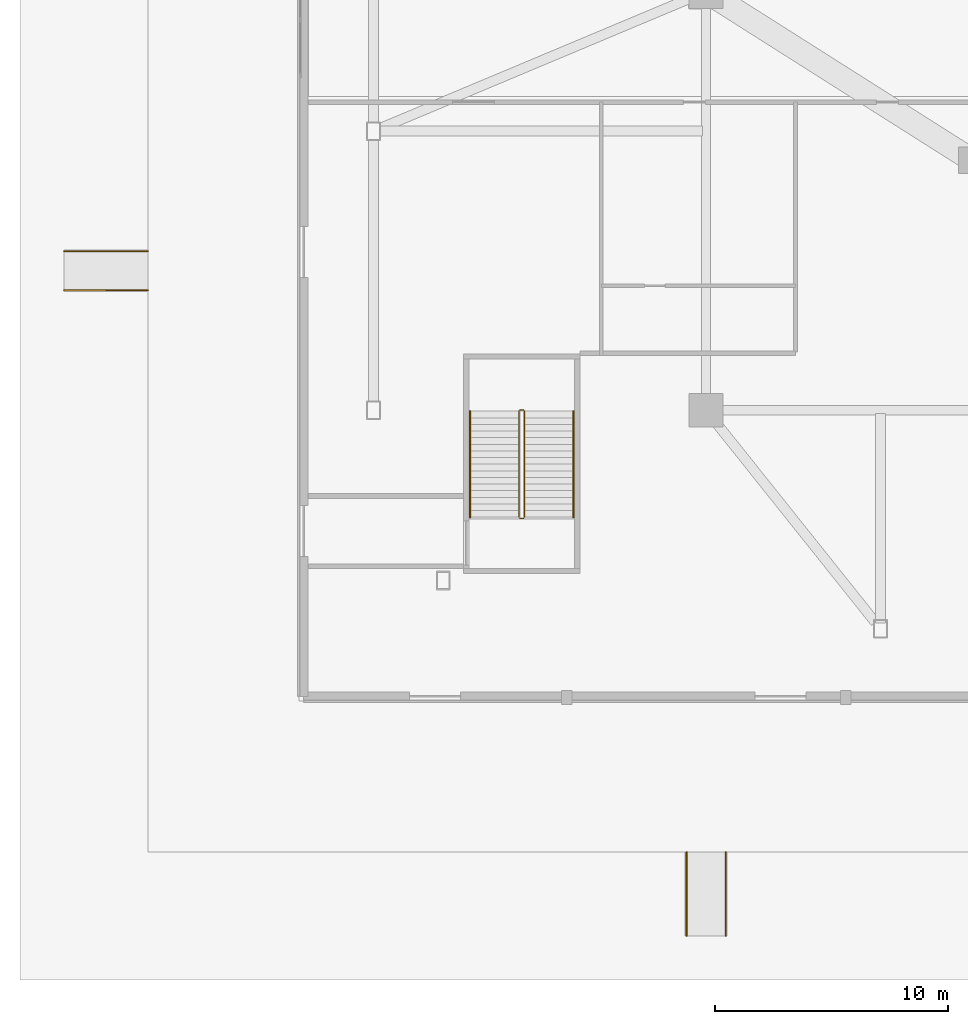
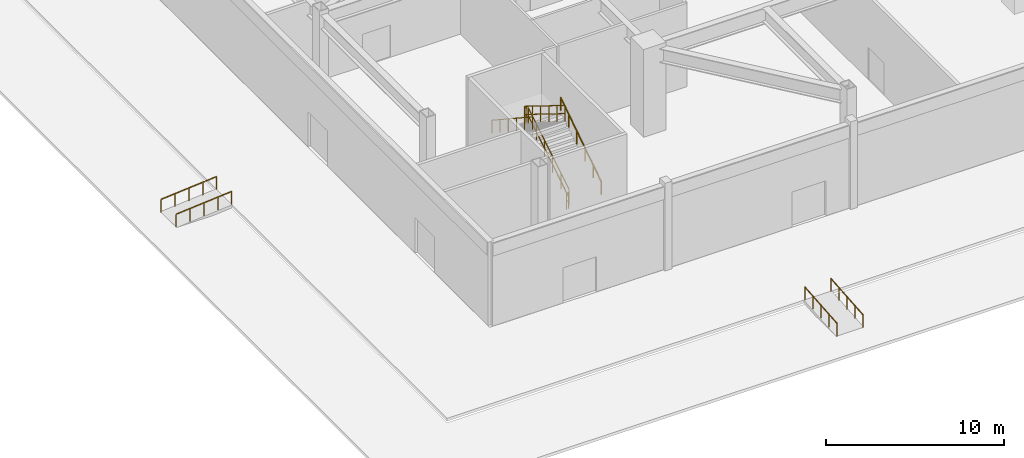
# One storey, part 15 of 24: 10 railings.
"""IFC4 building model written with IfcOpenShell, lengths in metres."""

import ifcopenshell
import ifcopenshell.guid

model = None  # the IFC model being written
_history = None  # IfcOwnerHistory: only IFC2X3 demands one
_inside = {}  # id of a spatial element -> (the spatial element, [elements in it])
_under = {}  # id of a project, library or spatial element -> (it, [spatial elements below it])
_declared = {}  # id of a project -> (the project, [libraries it declares])
_typed = {}  # id of a type object -> (the type object, [elements of that type])
_made_of = {}  # id of a material, layer set ... -> (it, [elements and type objects made of it])


def new_model(schema):
    """Start an empty IFC model of exactly this schema.

    Asked for "IFC4X3", IfcOpenShell would pick the latest addendum, in which some entities
    have other attributes; the version numbers below select the first issue.
    IFC2X3 requires an IfcOwnerHistory on every rooted entity: one is made here for all.
    """
    global model, _history
    if schema == "IFC4X3":
        model = ifcopenshell.file(schema_version=(4, 3, 0, 0))
    else:
        model = ifcopenshell.file(schema=schema)
    _inside.clear()
    _under.clear()
    _declared.clear()
    _typed.clear()
    _made_of.clear()
    _history = None
    if model.schema == "IFC2X3":
        org = make("IfcOrganization", Name="unknown")
        user = make(
            "IfcPersonAndOrganization",
            ThePerson=make("IfcPerson", FamilyName="unknown"),
            TheOrganization=org,
        )
        app = make(
            "IfcApplication",
            ApplicationDeveloper=org,
            Version="unknown",
            ApplicationFullName="unknown",
            ApplicationIdentifier="unknown",
        )
        _history = make(
            "IfcOwnerHistory",
            OwningUser=user,
            OwningApplication=app,
            ChangeAction="ADDED",
            CreationDate=0,
        )
    return model


def make(cls, **values):
    """One entity of the class cls with the attributes given. An attribute that is None is left unset."""
    return model.create_entity(
        cls, **{name: value for name, value in values.items() if value is not None}
    )


def rooted(cls, **values):
    """An entity with a GlobalId (a new one), such as an element, a storey or a relation."""
    return make(cls, GlobalId=ifcopenshell.guid.new(), OwnerHistory=_history, **values)


def si_unit(unit_type, name, prefix=None):
    """IfcSIUnit, for example si_unit("LENGTHUNIT", "METRE", prefix="MILLI")."""
    return make("IfcSIUnit", UnitType=unit_type, Prefix=prefix, Name=name)


def assignment(units):
    """IfcUnitAssignment: the units of a project."""
    return None if units is None else make("IfcUnitAssignment", Units=units)


def point(xyz):
    """IfcCartesianPoint."""
    return None if xyz is None else make("IfcCartesianPoint", Coordinates=xyz)


def direction(xyz):
    """IfcDirection."""
    return None if xyz is None else make("IfcDirection", DirectionRatios=xyz)


def frame(location, z_axis=None, x_axis=None):
    """IfcAxis2Placement3D, a coordinate frame: its origin and axes. An axis left out is left unset."""
    return make(
        "IfcAxis2Placement3D",
        Location=point(location),
        Axis=direction(z_axis),
        RefDirection=direction(x_axis),
    )


def frame_2d(location, x_axis=None):
    """IfcAxis2Placement2D, a coordinate frame in the plane: its origin and x axis."""
    return make(
        "IfcAxis2Placement2D", Location=point(location), RefDirection=direction(x_axis)
    )


def origin():
    """The frame at (0, 0, 0) with its axes left unset."""
    return frame((0.0, 0.0, 0.0))


def origin_2d():
    """The frame at (0, 0) in the plane with its x axis left unset."""
    return frame_2d((0.0, 0.0))


def place(relative_to, where):
    """IfcLocalPlacement: puts the frame where relative to a parent placement (None: the world)."""
    return make(
        "IfcLocalPlacement", PlacementRelTo=relative_to, RelativePlacement=where
    )


def context(
    kind, dimensions, precision=None, world=None, true_north=None, identifier=None
):
    """IfcGeometricRepresentationContext, for example the 3D "Model" context."""
    return make(
        "IfcGeometricRepresentationContext",
        ContextIdentifier=identifier,
        ContextType=kind,
        CoordinateSpaceDimension=dimensions,
        Precision=precision,
        WorldCoordinateSystem=world,
        TrueNorth=true_north,
    )


def subcontext(parent, identifier, kind, view, scale=None):
    """IfcGeometricRepresentationSubContext, for example "Body" below "Model"."""
    return make(
        "IfcGeometricRepresentationSubContext",
        ContextIdentifier=identifier,
        ContextType=kind,
        ParentContext=parent,
        TargetScale=scale,
        TargetView=view,
    )


def project(units=None, contexts=None):
    """IfcProject with its units and contexts."""
    return rooted(
        "IfcProject",
        Name="project",
        RepresentationContexts=contexts,
        UnitsInContext=assignment(units),
    )


def spatial(cls, under=None, at=None, **own):
    """A site, building, storey or space (cls), placed at a placement, below another one or the project."""
    s = rooted(cls, ObjectPlacement=at, **own)
    if under is not None:
        _under.setdefault(under.id(), (under, []))[1].append(s)
    return s


def profile(cls, at=None, kind="AREA", **sizes):
    """A parametric profile (cls). Its sizes go by their IFC names, for example OverallWidth=200.0."""
    return make(cls, ProfileType=kind, Position=at, **sizes)


def rectangle(**sizes):
    """IfcRectangleProfileDef."""
    return profile("IfcRectangleProfileDef", **sizes)


def extrude(swept, where, along, depth):
    """IfcExtrudedAreaSolid: the profile swept, set in the frame where, extruded along a direction by depth."""
    return make(
        "IfcExtrudedAreaSolid",
        SweptArea=swept,
        Position=where,
        ExtrudedDirection=direction(along),
        Depth=depth,
    )


def shape(context_of_items, identifier, shape_type, items):
    """IfcShapeRepresentation: the items that make up one representation, for example the "Body"."""
    return make(
        "IfcShapeRepresentation",
        ContextOfItems=context_of_items,
        RepresentationIdentifier=identifier,
        RepresentationType=shape_type,
        Items=items,
    )


def material(Name=None, Category=None):
    """IfcMaterial."""
    return make("IfcMaterial", Name=Name, Category=Category)


def made_of(thing, what):
    """Note that an element or type object is made of a material, layer set ...; save() writes the relation."""
    if what is not None:
        _made_of.setdefault(what.id(), (what, []))[1].append(thing)
    return thing


def type_object(cls, material=None, **own):
    """A type object (cls), such as IfcWallType, which elements share."""
    return made_of(rooted(cls, **own), material)


def element(
    cls,
    number,
    at=None,
    inside=None,
    cuts=None,
    type_object=None,
    material=None,
    context=None,
    identifier="Body",
    shape_type=None,
    held_by="IfcProductDefinitionShape",
    body=None,
    shapes=None,
    **own,
):
    """One element of the class cls, such as IfcWall. Its Tag is "e" and its number.

    at: its placement. inside: the storey or other place that contains it. cuts: it is an
    opening in that element (IfcRelVoidsElement). A single representation is given by context,
    identifier, shape_type and body (its items); several are given by shapes. held_by: the class
    of the entity that holds the representations. save() writes the other relations.
    """
    e = rooted(cls, Tag="e%d" % number, ObjectPlacement=at, **own)
    if body is not None:
        shapes = [shape(context, identifier, shape_type, body)]
    if shapes is not None:
        e.Representation = make(held_by, Representations=shapes)
    if inside is not None:
        _inside.setdefault(inside.id(), (inside, []))[1].append(e)
    if cuts is not None:
        rooted(
            "IfcRelVoidsElement", RelatingBuildingElement=cuts, RelatedOpeningElement=e
        )
    if type_object is not None:
        _typed.setdefault(type_object.id(), (type_object, []))[1].append(e)
    return made_of(e, material)


def aggregate(whole, parts):
    """IfcRelAggregates: a whole, such as a stair, and the parts it consists of."""
    return rooted("IfcRelAggregates", RelatingObject=whole, RelatedObjects=parts)


def save(model, path):
    """Write the relations noted so far, then the file.

    IfcRelAggregates (storeys below a building ...), IfcRelContainedInSpatialStructure (elements
    in a storey), IfcRelDefinesByType, IfcRelAssociatesMaterial and IfcRelDeclares: one each for
    every whole, place, type object, material and project.
    """
    for whole, parts in _under.values():
        aggregate(whole, parts)
    for where, things in _inside.values():
        rooted(
            "IfcRelContainedInSpatialStructure",
            RelatedElements=things,
            RelatingStructure=where,
        )
    for kind, things in _typed.values():
        rooted("IfcRelDefinesByType", RelatedObjects=things, RelatingType=kind)
    for what, things in _made_of.values():
        rooted("IfcRelAssociatesMaterial", RelatedObjects=things, RelatingMaterial=what)
    for by, libraries in _declared.values():
        rooted("IfcRelDeclares", RelatingContext=by, RelatedDefinitions=libraries)
    model.write(path)


model = new_model("IFC4")

# Units and contexts
model_context = context("Model", 3, precision=1e-05, world=origin(), true_north=direction((0.0, 1.0)))
body_context = subcontext(model_context, "Body", "Model", "MODEL_VIEW")
ifc_project = project(units=[si_unit("LENGTHUNIT", "METRE"), si_unit("AREAUNIT", "SQUARE_METRE"), si_unit("VOLUMEUNIT", "CUBIC_METRE"), si_unit("PLANEANGLEUNIT", "RADIAN"), si_unit("MASSUNIT", "GRAM", prefix="KILO")], contexts=[model_context])

# Site, building, storey
site_placement = place(None, origin())
site = spatial("IfcSite", under=ifc_project, at=site_placement, CompositionType="ELEMENT")
building_placement = place(site_placement, origin())
building = spatial("IfcBuilding", under=site, at=building_placement, Name="Apsidion Concourse Tower", CompositionType="ELEMENT")
storey_placement = place(building_placement, origin())
storey = spatial("IfcBuildingStorey", under=building, at=storey_placement, Name="L00", CompositionType="ELEMENT", Elevation=0.0)

# Railings
ifc_material = material(Name="Brushed stainless steel 316", Category="steel")
railing_type_1 = type_object("IfcRailingType", Name="RL-GUARD-1100", PredefinedType="GUARDRAIL", material=ifc_material)
railing_1_placement = place(storey_placement, frame((-31.800048828125, -22.60009765625, 0.176513671875)))
element("IfcRailing", 1, at=railing_1_placement, inside=storey, type_object=railing_type_1, Name="L00 ST-P1 stair guard 1", PredefinedType="GUARDRAIL", context=body_context, shape_type="SweptSolid", body=[
    extrude(rectangle(XDim=0.048095703125, YDim=0.048095703125, at=origin_2d()), frame((0.0, 0.0, 1.09619140625), z_axis=(0.0, 0.850215668316, 0.526434532824), x_axis=(-1.0, 0.0, 0.0)), (0.0, 0.0, 1.0), 5.363525390625),
    extrude(rectangle(XDim=0.048095703125, YDim=0.048095703125, at=origin_2d()), frame((0.0, 0.0, 0.5361328125), z_axis=(0.0, 0.850215668316, 0.526434532824), x_axis=(-1.0, 0.0, 0.0)), (0.0, 0.0, 1.0), 5.363525390625),
    extrude(rectangle(XDim=0.0419921875, YDim=0.0419921875, at=origin_2d()), origin(), (0.0, 0.0, 1.0), 1.072021484375),
    extrude(rectangle(XDim=0.0419921875, YDim=0.0419921875, at=origin_2d()), frame((0.0, 0.912109375, 0.564697265625)), (0.0, 0.0, 1.0), 1.072021484375),
    extrude(rectangle(XDim=0.0419921875, YDim=0.0419921875, at=origin_2d()), frame((0.0, 1.823974609375, 1.12939453125)), (0.0, 0.0, 1.0), 1.072021484375),
    extrude(rectangle(XDim=0.0419921875, YDim=0.0419921875, at=origin_2d()), frame((0.0, 2.736083984375, 1.694091796875)), (0.0, 0.0, 1.0), 1.072021484375),
    extrude(rectangle(XDim=0.0419921875, YDim=0.0419921875, at=origin_2d()), frame((0.0, 3.64794921875, 2.2587890625)), (0.0, 0.0, 1.0), 1.072021484375),
    extrude(rectangle(XDim=0.0419921875, YDim=0.0419921875, at=origin_2d()), frame((0.0, 4.56005859375, 2.823486328125)), (0.0, 0.0, 1.0), 1.072021484375),
])
railing_2_placement = place(storey_placement, frame((-31.85009765625, -17.989990234375, 3.0)))
element("IfcRailing", 2, at=railing_2_placement, inside=storey, type_object=railing_type_1, Name="L00 ST-P1 stair guard 2", PredefinedType="GUARDRAIL", context=body_context, shape_type="SweptSolid", body=[
    extrude(rectangle(XDim=0.048095703125, YDim=0.048095703125, at=origin_2d()), frame((0.0, 0.0, 1.09619140625), z_axis=(-1.0, 0.0, 0.0), x_axis=(0.0, -1.0, 0.0)), (0.0, 0.0, 1.0), 0.14990234375),
    extrude(rectangle(XDim=0.048095703125, YDim=0.048095703125, at=origin_2d()), frame((0.0, 0.0, 0.5361328125), z_axis=(-1.0, 0.0, 0.0), x_axis=(0.0, -1.0, 0.0)), (0.0, 0.0, 1.0), 0.14990234375),
    extrude(rectangle(XDim=0.0419921875, YDim=0.0419921875, at=origin_2d()), origin(), (0.0, 0.0, 1.0), 1.072021484375),
    extrude(rectangle(XDim=0.0419921875, YDim=0.0419921875, at=origin_2d()), frame((-0.14990234375, 0.0, 0.0)), (0.0, 0.0, 1.0), 1.072021484375),
])
railing_3_placement = place(storey_placement, frame((-32.050048828125, -18.0400390625, 3.176513671875)))
element("IfcRailing", 3, at=railing_3_placement, inside=storey, type_object=railing_type_1, Name="L00 ST-P1 stair guard 3", PredefinedType="GUARDRAIL", context=body_context, shape_type="SweptSolid", body=[
    extrude(rectangle(XDim=0.048095703125, YDim=0.048095703125, at=origin_2d()), frame((0.0, 0.0, 1.09619140625), z_axis=(0.0, -0.850215668316, 0.526434532824), x_axis=(1.0, 0.0, 0.0)), (0.0, 0.0, 1.0), 5.363525390625),
    extrude(rectangle(XDim=0.048095703125, YDim=0.048095703125, at=origin_2d()), frame((0.0, 0.0, 0.5361328125), z_axis=(0.0, -0.850215668316, 0.526434532824), x_axis=(1.0, 0.0, 0.0)), (0.0, 0.0, 1.0), 5.363525390625),
    extrude(rectangle(XDim=0.0419921875, YDim=0.0419921875, at=origin_2d()), origin(), (0.0, 0.0, 1.0), 1.072021484375),
    extrude(rectangle(XDim=0.0419921875, YDim=0.0419921875, at=origin_2d()), frame((0.0, -0.912109375, 0.564697265625)), (0.0, 0.0, 1.0), 1.072021484375),
    extrude(rectangle(XDim=0.0419921875, YDim=0.0419921875, at=origin_2d()), frame((0.0, -1.823974609375, 1.12939453125)), (0.0, 0.0, 1.0), 1.072021484375),
    extrude(rectangle(XDim=0.0419921875, YDim=0.0419921875, at=origin_2d()), frame((0.0, -2.736083984375, 1.694091796875)), (0.0, 0.0, 1.0), 1.072021484375),
    extrude(rectangle(XDim=0.0419921875, YDim=0.0419921875, at=origin_2d()), frame((0.0, -3.64794921875, 2.2587890625)), (0.0, 0.0, 1.0), 1.072021484375),
    extrude(rectangle(XDim=0.0419921875, YDim=0.0419921875, at=origin_2d()), frame((0.0, -4.56005859375, 2.823486328125)), (0.0, 0.0, 1.0), 1.072021484375),
])
railing_4_placement = place(storey_placement, frame((-31.85009765625, -22.64990234375, 0.0)))
element("IfcRailing", 4, at=railing_4_placement, inside=storey, type_object=railing_type_1, Name="L00 ST-P1 stair guard 4", PredefinedType="GUARDRAIL", context=body_context, shape_type="SweptSolid", body=[
    extrude(rectangle(XDim=0.048095703125, YDim=0.048095703125, at=origin_2d()), frame((0.0, 0.0, 1.09619140625), z_axis=(-1.0, 0.0, 0.0), x_axis=(0.0, -1.0, 0.0)), (0.0, 0.0, 1.0), 0.14990234375),
    extrude(rectangle(XDim=0.048095703125, YDim=0.048095703125, at=origin_2d()), frame((0.0, 0.0, 0.5361328125), z_axis=(-1.0, 0.0, 0.0), x_axis=(0.0, -1.0, 0.0)), (0.0, 0.0, 1.0), 0.14990234375),
    extrude(rectangle(XDim=0.0419921875, YDim=0.0419921875, at=origin_2d()), origin(), (0.0, 0.0, 1.0), 1.072021484375),
    extrude(rectangle(XDim=0.0419921875, YDim=0.0419921875, at=origin_2d()), frame((-0.14990234375, 0.0, 0.0)), (0.0, 0.0, 1.0), 1.072021484375),
])
railing_type_2 = type_object("IfcRailingType", Name="RL-HAND-900", PredefinedType="HANDRAIL", material=ifc_material)
railing_5_placement = place(storey_placement, frame((-29.699951171875, -22.60009765625, 0.176513671875)))
element("IfcRailing", 5, at=railing_5_placement, inside=storey, type_object=railing_type_2, Name="L00 ST-P1 stair handrail 1", PredefinedType="HANDRAIL", context=body_context, shape_type="SweptSolid", body=[
    extrude(rectangle(XDim=0.048095703125, YDim=0.048095703125, at=origin_2d()), frame((0.0, 0.0, 0.8759765625), z_axis=(0.0, 0.835420324919, 0.549611572578), x_axis=(-1.0, 0.0, 0.0)), (0.0, 0.0, 1.0), 5.45849609375),
    extrude(rectangle(XDim=0.0419921875, YDim=0.0419921875, at=origin_2d()), origin(), (0.0, 0.0, 1.0), 0.851806640625),
    extrude(rectangle(XDim=0.0419921875, YDim=0.0419921875, at=origin_2d()), frame((0.0, 0.912109375, 0.60009765625)), (0.0, 0.0, 1.0), 0.851806640625),
    extrude(rectangle(XDim=0.0419921875, YDim=0.0419921875, at=origin_2d()), frame((0.0, 1.823974609375, 1.199951171875)), (0.0, 0.0, 1.0), 0.851806640625),
    extrude(rectangle(XDim=0.0419921875, YDim=0.0419921875, at=origin_2d()), frame((0.0, 2.736083984375, 1.800048828125)), (0.0, 0.0, 1.0), 0.851806640625),
    extrude(rectangle(XDim=0.0419921875, YDim=0.0419921875, at=origin_2d()), frame((0.0, 3.64794921875, 2.39990234375)), (0.0, 0.0, 1.0), 0.851806640625),
    extrude(rectangle(XDim=0.0419921875, YDim=0.0419921875, at=origin_2d()), frame((0.0, 4.56005859375, 3.0)), (0.0, 0.0, 1.0), 0.851806640625),
])
railing_6_placement = place(storey_placement, frame((-34.14990234375, -18.0400390625, 3.176513671875)))
element("IfcRailing", 6, at=railing_6_placement, inside=storey, type_object=railing_type_2, Name="L00 ST-P1 stair handrail 2", PredefinedType="HANDRAIL", context=body_context, shape_type="SweptSolid", body=[
    extrude(rectangle(XDim=0.048095703125, YDim=0.048095703125, at=origin_2d()), frame((0.0, 0.0, 0.8759765625), z_axis=(0.0, -0.835420324919, 0.549611572578), x_axis=(1.0, 0.0, 0.0)), (0.0, 0.0, 1.0), 5.45849609375),
    extrude(rectangle(XDim=0.0419921875, YDim=0.0419921875, at=origin_2d()), origin(), (0.0, 0.0, 1.0), 0.851806640625),
    extrude(rectangle(XDim=0.0419921875, YDim=0.0419921875, at=origin_2d()), frame((0.0, -0.912109375, 0.60009765625)), (0.0, 0.0, 1.0), 0.851806640625),
    extrude(rectangle(XDim=0.0419921875, YDim=0.0419921875, at=origin_2d()), frame((0.0, -1.823974609375, 1.199951171875)), (0.0, 0.0, 1.0), 0.851806640625),
    extrude(rectangle(XDim=0.0419921875, YDim=0.0419921875, at=origin_2d()), frame((0.0, -2.736083984375, 1.800048828125)), (0.0, 0.0, 1.0), 0.851806640625),
    extrude(rectangle(XDim=0.0419921875, YDim=0.0419921875, at=origin_2d()), frame((0.0, -3.64794921875, 2.39990234375)), (0.0, 0.0, 1.0), 0.851806640625),
    extrude(rectangle(XDim=0.0419921875, YDim=0.0419921875, at=origin_2d()), frame((0.0, -4.56005859375, 3.0)), (0.0, 0.0, 1.0), 0.851806640625),
])
for number, where, name in (
    (7, (-23.159912109375, -40.60009765625, -0.300048828125), "Pedestrian South-West Concourse Accessible Ramp Handrail 1"),
    (8, (-24.840087890625, -40.60009765625, -0.300048828125), "Pedestrian South-West Concourse Accessible Ramp Handrail 2"),
):
    element("IfcRailing", number, at=place(storey_placement, frame(where)), inside=storey, type_object=railing_type_2, Name=name, PredefinedType="HANDRAIL", context=body_context, shape_type="SweptSolid", body=[
        extrude(rectangle(XDim=0.048095703125, YDim=0.048095703125, at=origin_2d()), frame((0.0, 0.0, 0.8759765625), z_axis=(0.0, 0.996544826035, 0.083056665618), x_axis=(-1.0, 0.0, 0.0)), (0.0, 0.0, 1.0), 3.612548828125),
        extrude(rectangle(XDim=0.0419921875, YDim=0.0419921875, at=origin_2d()), origin(), (0.0, 0.0, 1.0), 0.851806640625),
        extrude(rectangle(XDim=0.0419921875, YDim=0.0419921875, at=origin_2d()), frame((0.0, 0.89990234375, 0.074951171875)), (0.0, 0.0, 1.0), 0.851806640625),
        extrude(rectangle(XDim=0.0419921875, YDim=0.0419921875, at=origin_2d()), frame((0.0, 1.800048828125, 0.14990234375)), (0.0, 0.0, 1.0), 0.851806640625),
        extrude(rectangle(XDim=0.0419921875, YDim=0.0419921875, at=origin_2d()), frame((0.0, 2.7001953125, 0.22509765625)), (0.0, 0.0, 1.0), 0.851806640625),
        extrude(rectangle(XDim=0.0419921875, YDim=0.0419921875, at=origin_2d()), frame((0.0, 3.60009765625, 0.300048828125)), (0.0, 0.0, 1.0), 0.851806640625),
    ])
for number, where, name in (
    (9, (-51.60009765625, -12.840087890625, -0.300048828125), "Pedestrian West-South Concourse Accessible Ramp Handrail 1"),
    (10, (-51.60009765625, -11.159912109375, -0.300048828125), "Pedestrian West-South Concourse Accessible Ramp Handrail 2"),
):
    element("IfcRailing", number, at=place(storey_placement, frame(where)), inside=storey, type_object=railing_type_2, Name=name, PredefinedType="HANDRAIL", context=body_context, shape_type="SweptSolid", body=[
        extrude(rectangle(XDim=0.048095703125, YDim=0.048095703125, at=origin_2d()), frame((0.0, 0.0, 0.8759765625), z_axis=(0.996544826035, 0.0, 0.083056665618), x_axis=(0.0, 1.0, 0.0)), (0.0, 0.0, 1.0), 3.612548828125),
        extrude(rectangle(XDim=0.0419921875, YDim=0.0419921875, at=origin_2d()), origin(), (0.0, 0.0, 1.0), 0.851806640625),
        extrude(rectangle(XDim=0.0419921875, YDim=0.0419921875, at=origin_2d()), frame((0.89990234375, 0.0, 0.074951171875)), (0.0, 0.0, 1.0), 0.851806640625),
        extrude(rectangle(XDim=0.0419921875, YDim=0.0419921875, at=origin_2d()), frame((1.800048828125, 0.0, 0.14990234375)), (0.0, 0.0, 1.0), 0.851806640625),
        extrude(rectangle(XDim=0.0419921875, YDim=0.0419921875, at=origin_2d()), frame((2.7001953125, 0.0, 0.22509765625)), (0.0, 0.0, 1.0), 0.851806640625),
        extrude(rectangle(XDim=0.0419921875, YDim=0.0419921875, at=origin_2d()), frame((3.60009765625, 0.0, 0.300048828125)), (0.0, 0.0, 1.0), 0.851806640625),
    ])

save(model, "model.ifc")
